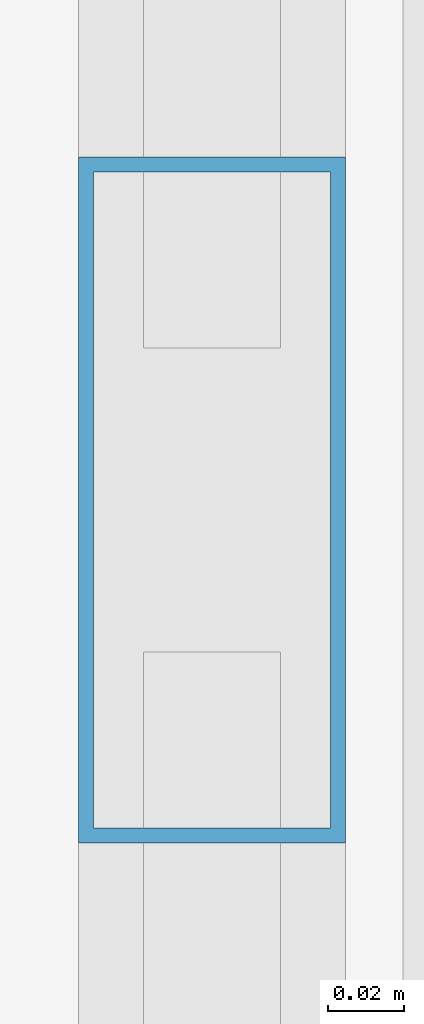
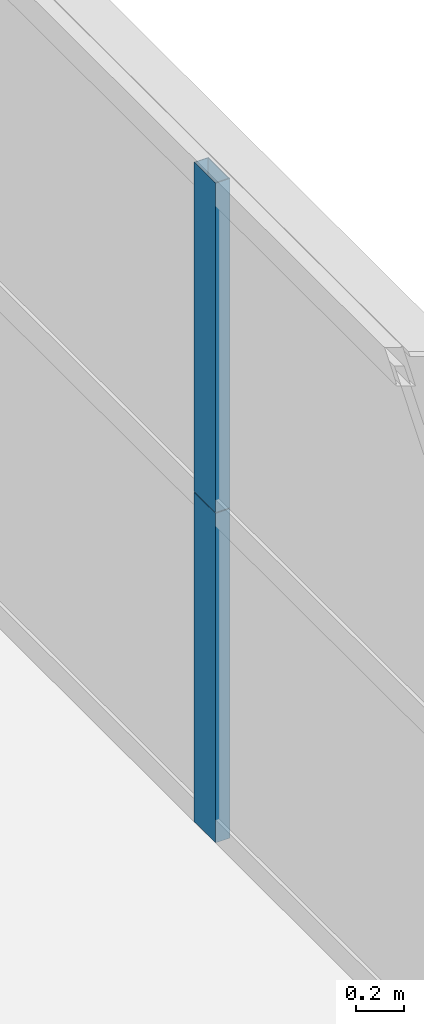
# One storey, part 20 of 43: 2 members, 1 element without a shape of its own.
"""IFC4 building model written with IfcOpenShell, lengths in metres."""

from ifc_helpers import new_model, si_unit, direction, frame, origin, origin_2d, place, context, subcontext, project, spatial, hollow_rectangle, extrude, source, transform, mapped, material, layer, layer_set, material_profile, profile_set, type_object, element, aggregate, save


model = new_model("IFC4")

# Units and contexts
model_context = context("Model", 3, precision=1e-05, world=origin(), true_north=direction((0.0, 1.0)))
body_context = subcontext(model_context, "Body", "Model", "MODEL_VIEW")
ifc_project = project(units=[si_unit("LENGTHUNIT", "METRE"), si_unit("AREAUNIT", "SQUARE_METRE"), si_unit("VOLUMEUNIT", "CUBIC_METRE"), si_unit("PLANEANGLEUNIT", "RADIAN"), si_unit("MASSUNIT", "GRAM", prefix="KILO"), si_unit("THERMODYNAMICTEMPERATUREUNIT", "KELVIN"), si_unit("POWERUNIT", "WATT")], contexts=[model_context])

# Site, building, storey
site_placement = place(None, origin())
site = spatial("IfcSite", under=ifc_project, at=site_placement, CompositionType="ELEMENT")
building_placement = place(site_placement, origin())
building = spatial("IfcBuilding", under=site, at=building_placement, Name="Yuzanri Waterfront Tower", CompositionType="ELEMENT")
storey_placement = place(building_placement, frame((0.0, 0.0, 108.199951171875)))
storey = spatial("IfcBuildingStorey", under=building, at=storey_placement, Name="L28", CompositionType="ELEMENT", Elevation=108.199951171875)

# Curtain wall, members
ifc_material_1 = material(Name="Anodized Architectural Bronze", Category="metal")
ifc_layer = layer(ifc_material_1, 0.159912109375)
ifc_layer_set = layer_set([ifc_layer], Name="Anodized Architectural Bronze")
curtain_wall_type = type_object("IfcCurtainWallType", Name="Anodized Bronze Hotel Upper-Tier Solar-Control Unitized Curtain Wall 7800", PredefinedType="NOTDEFINED", material=ifc_layer_set)
curtain_wall_placement = place(storey_placement, origin())
curtain_wall = element("IfcCurtainWall", 1, at=curtain_wall_placement, inside=storey, type_object=curtain_wall_type, Name="L28 Curtain Wall CW-L28-EL", PredefinedType="NOTDEFINED")
ifc_material_2 = material(Name="Anodized Architectural Bronze", Category="metal")
ifc_material_profile = material_profile(ifc_material_2, hollow_rectangle(XDim=0.070068359375, YDim=0.179931640625, WallThickness=0.00390625, at=origin_2d()), Name="CWM 70x180")
ifc_profile_set = profile_set([ifc_material_profile], Name="Anodized Architectural Bronze")
member_type = type_object("IfcMemberType", Name="Anodized Bronze Standard Curtain-Wall Mullion 70x180", PredefinedType="MULLION", material=ifc_profile_set)
shared_shape = source(origin(), body_context, "Body", "SweptSolid", [
    extrude(hollow_rectangle(XDim=0.070068359375, YDim=0.179931640625, WallThickness=0.00390625, at=origin_2d()), origin(), (0.0, 0.0, 1.0), 1.68798828125),
])
member_1_placement = place(storey_placement, frame((60.449951171875, 17.449951171875, 0.0), z_axis=(0.0, 0.0, 1.0), x_axis=(1.0, 0.0, 0.0)))
member_1 = element("IfcMember", 2, at=member_1_placement, type_object=member_type, Name="CW-L28-EL Lower Mullion 01", PredefinedType="MULLION", context=body_context, shape_type="MappedRepresentation", body=[
    mapped(shared_shape, transform((0.0, 0.0, 0.0), scale=1.0)),
])
member_2_placement = place(storey_placement, frame((60.449951171875, 17.449951171875, 1.692138671875), z_axis=(0.0, 0.0, 1.0), x_axis=(1.0, 0.0, 0.0)))
member_2 = element("IfcMember", 3, at=member_2_placement, type_object=member_type, Name="CW-L28-EL Upper Mullion 01", PredefinedType="MULLION", context=body_context, shape_type="MappedRepresentation", body=[
    mapped(shared_shape, transform((0.0, 0.0, 0.0), scale=1.0)),
])
aggregate(curtain_wall, [member_1, member_2])

save(model, "model.ifc")
